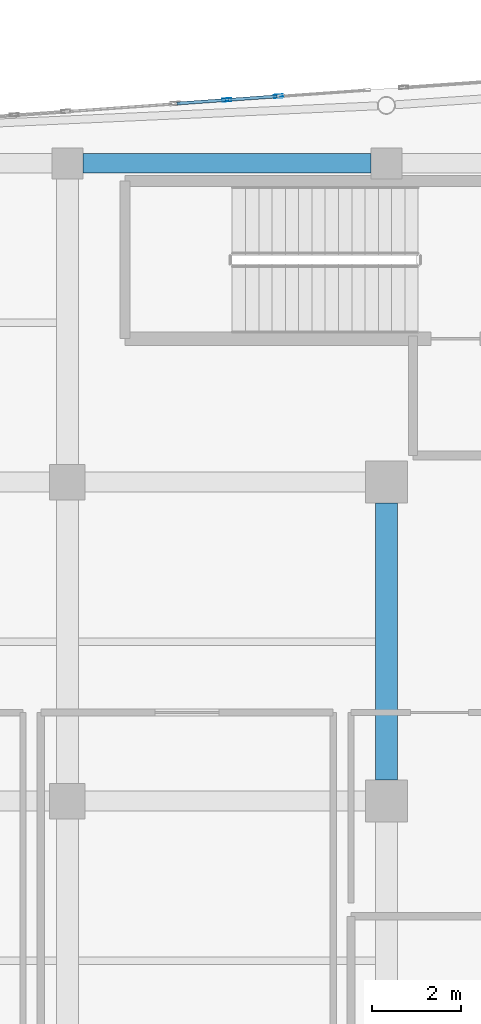
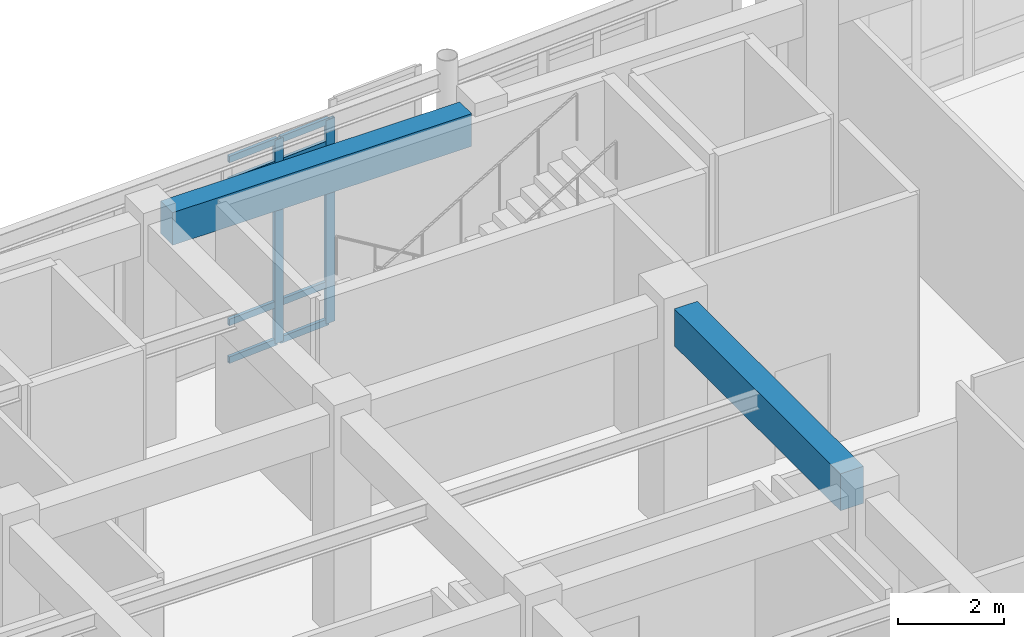
# One storey, part 29 of 102: 10 members, 2 beams, 1 element without a shape of its own.
"""IFC4 building model written with IfcOpenShell, lengths in metres."""

from ifc_helpers import new_model, si_unit, direction, frame, origin, origin_2d, place, context, subcontext, project, spatial, rectangle, hollow_rectangle, extrude, material, layer, layer_set, material_profile, profile_set, type_object, element, aggregate, save


model = new_model("IFC4")

# Units and contexts
model_context = context("Model", 3, precision=1e-05, world=origin(), true_north=direction((0.0, 1.0)))
body_context = subcontext(model_context, "Body", "Model", "MODEL_VIEW")
ifc_project = project(units=[si_unit("LENGTHUNIT", "METRE"), si_unit("AREAUNIT", "SQUARE_METRE"), si_unit("VOLUMEUNIT", "CUBIC_METRE"), si_unit("PLANEANGLEUNIT", "RADIAN"), si_unit("MASSUNIT", "GRAM", prefix="KILO")], contexts=[model_context])

# Site, building, storey
site_placement = place(None, origin())
site = spatial("IfcSite", under=ifc_project, at=site_placement, CompositionType="ELEMENT")
building_placement = place(site_placement, origin())
building = spatial("IfcBuilding", under=site, at=building_placement, Name="Carrowvane Square Congress Hotel", CompositionType="ELEMENT")
storey_placement = place(building_placement, origin())
storey = spatial("IfcBuildingStorey", under=building, at=storey_placement, Name="L00", CompositionType="ELEMENT", Elevation=0.0)

# Beams
ifc_material_1 = material(Name="Concrete C35/45", Category="concrete")
ifc_material_profile_1 = material_profile(ifc_material_1, rectangle(XDim=0.449951171875, YDim=0.75, at=origin_2d()), Name="RC 450x750")
ifc_profile_set_1 = profile_set([ifc_material_profile_1], Name="Concrete C35/45")
beam_type_1 = type_object("IfcBeamType", Name="BM-RC-450x750", PredefinedType="USERDEFINED", material=ifc_profile_set_1)
beam_1_placement = place(storey_placement, frame((55.14990234375, 113.39990234375, 4.72509765625), z_axis=(1.0, 0.0, 0.0), x_axis=(0.0, 1.0, 0.0)))
element("IfcBeam", 1, at=beam_1_placement, inside=storey, type_object=beam_type_1, Name="L01 girder R/7-8", ObjectType="GIRDER", PredefinedType="USERDEFINED", context=body_context, shape_type="SweptSolid", body=[
    extrude(rectangle(XDim=0.449951171875, YDim=0.75, at=origin_2d()), origin(), (0.0, 0.0, 1.0), 6.5),
])
ifc_material_2 = material(Name="Concrete C35/45", Category="concrete")
ifc_material_profile_2 = material_profile(ifc_material_2, rectangle(XDim=0.5, YDim=0.85009765625, at=origin_2d()), Name="RC 500x850")
ifc_profile_set_2 = profile_set([ifc_material_profile_2], Name="Concrete C35/45")
beam_type_2 = type_object("IfcBeamType", Name="BM-RC-500x850", PredefinedType="USERDEFINED", material=ifc_profile_set_2)
beam_2_placement = place(storey_placement, frame((62.0, 99.47509765625, 4.675048828125), z_axis=(0.0, 1.0, 0.0), x_axis=(-1.0, 0.0, 0.0)))
element("IfcBeam", 2, at=beam_2_placement, inside=storey, type_object=beam_type_2, Name="L01 girder 8/P-Q", ObjectType="GIRDER", PredefinedType="USERDEFINED", context=body_context, shape_type="SweptSolid", body=[
    extrude(rectangle(XDim=0.5, YDim=0.85009765625, at=origin_2d()), origin(), (0.0, 0.0, 1.0), 6.25),
])

# Curtain wall, members
ifc_material_3 = material(Name="Anodised aluminium", Category="aluminium")
ifc_layer = layer(ifc_material_3, 0.174072265625)
ifc_layer_set = layer_set([ifc_layer], Name="Anodised aluminium")
curtain_wall_type = type_object("IfcCurtainWallType", Name="CW-SYS-2", PredefinedType="NOTDEFINED", material=ifc_layer_set)
curtain_wall_placement = place(storey_placement, origin())
curtain_wall = element("IfcCurtainWall", 3, at=curtain_wall_placement, inside=storey, type_object=curtain_wall_type, Name="L00 unitised curtain wall 9", PredefinedType="NOTDEFINED")
ifc_material_4 = material(Name="Anodised aluminium", Category="aluminium")
ifc_material_profile_3 = material_profile(ifc_material_4, hollow_rectangle(XDim=0.070068359375, YDim=0.199951171875, WallThickness=0.0048828125, at=origin_2d()), Name="CW-ML 70x200x5")
ifc_profile_set_3 = profile_set([ifc_material_profile_3], Name="Anodised aluminium")
member_type_1 = type_object("IfcMemberType", Name="CW-MUL-2", PredefinedType="MULLION", material=ifc_profile_set_3)
member_1_placement = place(storey_placement, frame((58.39990234375, 114.8291015625, 0.0), z_axis=(0.0, 0.0, 1.0), x_axis=(-0.071531759512, 0.997438322595, 0.0)))
member_1 = element("IfcMember", 4, at=member_1_placement, type_object=member_type_1, Name="CW-2 mullion 2", PredefinedType="MULLION", context=body_context, shape_type="SweptSolid", body=[
    extrude(hollow_rectangle(XDim=0.070068359375, YDim=0.199951171875, WallThickness=0.0048828125, at=origin_2d()), origin(), (0.0, 0.0, 1.0), 4.675537109375),
])
member_2_placement = place(storey_placement, frame((59.565185546875, 114.912841796875, 0.0), z_axis=(0.0, 0.0, 1.0), x_axis=(-0.071531759512, 0.997438322595, 0.0)))
member_2 = element("IfcMember", 5, at=member_2_placement, type_object=member_type_1, Name="CW-2 mullion 3", PredefinedType="MULLION", context=body_context, shape_type="SweptSolid", body=[
    extrude(hollow_rectangle(XDim=0.070068359375, YDim=0.199951171875, WallThickness=0.0048828125, at=origin_2d()), origin(), (0.0, 0.0, 1.0), 4.675537109375),
])
ifc_material_5 = material(Name="Anodised aluminium", Category="aluminium")
ifc_material_profile_4 = material_profile(ifc_material_5, hollow_rectangle(XDim=0.070068359375, YDim=0.14990234375, WallThickness=0.0048828125, at=origin_2d()), Name="CW-TR 70x150x5")
ifc_profile_set_4 = profile_set([ifc_material_profile_4], Name="Anodised aluminium")
member_type_2 = type_object("IfcMemberType", Name="CW-TRN-2", PredefinedType="USERDEFINED", material=ifc_profile_set_4)
member_3_placement = place(storey_placement, frame((57.269775390625, 114.748046875, 0.034912109375), z_axis=(0.997433808996, 0.071594669304, 0.0), x_axis=(-0.071594669304, 0.997433808996, 0.0)))
member_3 = element("IfcMember", 6, at=member_3_placement, type_object=member_type_2, Name="CW-2 transom 1.1", ObjectType="TRANSOM", PredefinedType="USERDEFINED", context=body_context, shape_type="SweptSolid", body=[
    extrude(hollow_rectangle(XDim=0.070068359375, YDim=0.14990234375, WallThickness=0.0048828125, at=origin_2d()), origin(), (0.0, 0.0, 1.0), 1.09814453125),
])
member_4_placement = place(storey_placement, frame((57.269775390625, 114.748046875, 0.89990234375), z_axis=(0.997433808996, 0.071594669304, 0.0), x_axis=(-0.071594669304, 0.997433808996, 0.0)))
member_4 = element("IfcMember", 7, at=member_4_placement, type_object=member_type_2, Name="CW-2 transom 1.2", ObjectType="TRANSOM", PredefinedType="USERDEFINED", context=body_context, shape_type="SweptSolid", body=[
    extrude(hollow_rectangle(XDim=0.070068359375, YDim=0.14990234375, WallThickness=0.0048828125, at=origin_2d()), origin(), (0.0, 0.0, 1.0), 1.09814453125),
])
member_5_placement = place(storey_placement, frame((57.269775390625, 114.748046875, 4.12548828125), z_axis=(0.997433808996, 0.071594669304, 0.0), x_axis=(-0.071594669304, 0.997433808996, 0.0)))
member_5 = element("IfcMember", 8, at=member_5_placement, type_object=member_type_2, Name="CW-2 transom 1.3", ObjectType="TRANSOM", PredefinedType="USERDEFINED", context=body_context, shape_type="SweptSolid", body=[
    extrude(hollow_rectangle(XDim=0.070068359375, YDim=0.14990234375, WallThickness=0.0048828125, at=origin_2d()), origin(), (0.0, 0.0, 1.0), 1.09814453125),
])
member_6_placement = place(storey_placement, frame((57.269775390625, 114.748046875, 4.640625), z_axis=(0.997433808996, 0.071594669304, 0.0), x_axis=(-0.071594669304, 0.997433808996, 0.0)))
member_6 = element("IfcMember", 9, at=member_6_placement, type_object=member_type_2, Name="CW-2 transom 1.4", ObjectType="TRANSOM", PredefinedType="USERDEFINED", context=body_context, shape_type="SweptSolid", body=[
    extrude(hollow_rectangle(XDim=0.070068359375, YDim=0.14990234375, WallThickness=0.0048828125, at=origin_2d()), origin(), (0.0, 0.0, 1.0), 1.09814453125),
])
member_7_placement = place(storey_placement, frame((58.434814453125, 114.831787109375, 0.034912109375), z_axis=(0.99745079479, 0.071357634305, 0.0), x_axis=(-0.071357634305, 0.99745079479, 0.0)))
member_7 = element("IfcMember", 10, at=member_7_placement, type_object=member_type_2, Name="CW-2 transom 2.1", ObjectType="TRANSOM", PredefinedType="USERDEFINED", context=body_context, shape_type="SweptSolid", body=[
    extrude(hollow_rectangle(XDim=0.070068359375, YDim=0.14990234375, WallThickness=0.0048828125, at=origin_2d()), origin(), (0.0, 0.0, 1.0), 1.09814453125),
])
member_8_placement = place(storey_placement, frame((58.434814453125, 114.831787109375, 0.89990234375), z_axis=(0.99745079479, 0.071357634305, 0.0), x_axis=(-0.071357634305, 0.99745079479, 0.0)))
member_8 = element("IfcMember", 11, at=member_8_placement, type_object=member_type_2, Name="CW-2 transom 2.2", ObjectType="TRANSOM", PredefinedType="USERDEFINED", context=body_context, shape_type="SweptSolid", body=[
    extrude(hollow_rectangle(XDim=0.070068359375, YDim=0.14990234375, WallThickness=0.0048828125, at=origin_2d()), origin(), (0.0, 0.0, 1.0), 1.09814453125),
])
member_9_placement = place(storey_placement, frame((58.434814453125, 114.831787109375, 4.12548828125), z_axis=(0.99745079479, 0.071357634305, 0.0), x_axis=(-0.071357634305, 0.99745079479, 0.0)))
member_9 = element("IfcMember", 12, at=member_9_placement, type_object=member_type_2, Name="CW-2 transom 2.3", ObjectType="TRANSOM", PredefinedType="USERDEFINED", context=body_context, shape_type="SweptSolid", body=[
    extrude(hollow_rectangle(XDim=0.070068359375, YDim=0.14990234375, WallThickness=0.0048828125, at=origin_2d()), origin(), (0.0, 0.0, 1.0), 1.09814453125),
])
member_10_placement = place(storey_placement, frame((58.434814453125, 114.831787109375, 4.640625), z_axis=(0.99745079479, 0.071357634305, 0.0), x_axis=(-0.071357634305, 0.99745079479, 0.0)))
member_10 = element("IfcMember", 13, at=member_10_placement, type_object=member_type_2, Name="CW-2 transom 2.4", ObjectType="TRANSOM", PredefinedType="USERDEFINED", context=body_context, shape_type="SweptSolid", body=[
    extrude(hollow_rectangle(XDim=0.070068359375, YDim=0.14990234375, WallThickness=0.0048828125, at=origin_2d()), origin(), (0.0, 0.0, 1.0), 1.09814453125),
])
aggregate(curtain_wall, [member_1, member_2, member_3, member_4, member_5, member_6, member_7, member_8, member_9, member_10])

save(model, "model.ifc")
